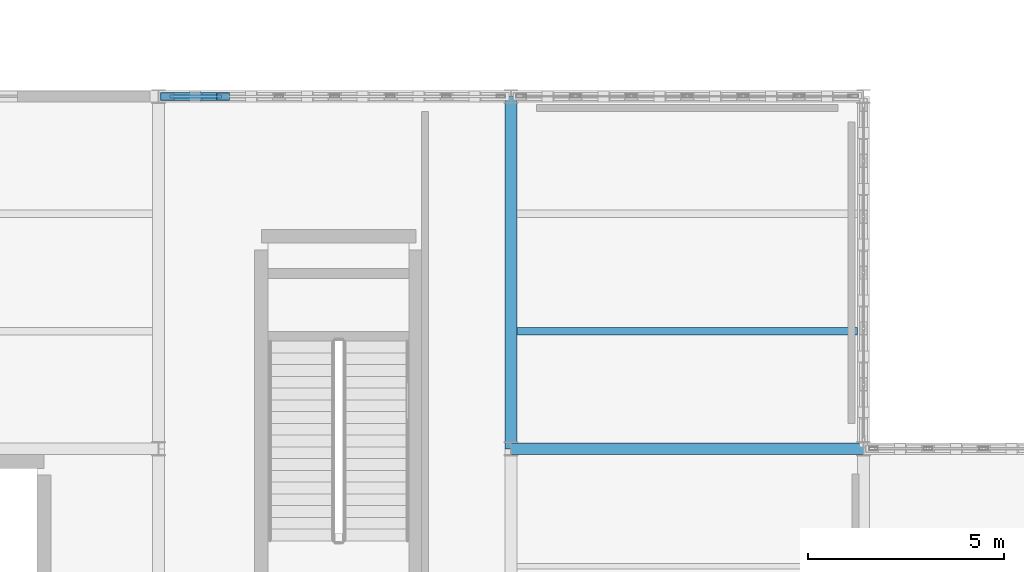
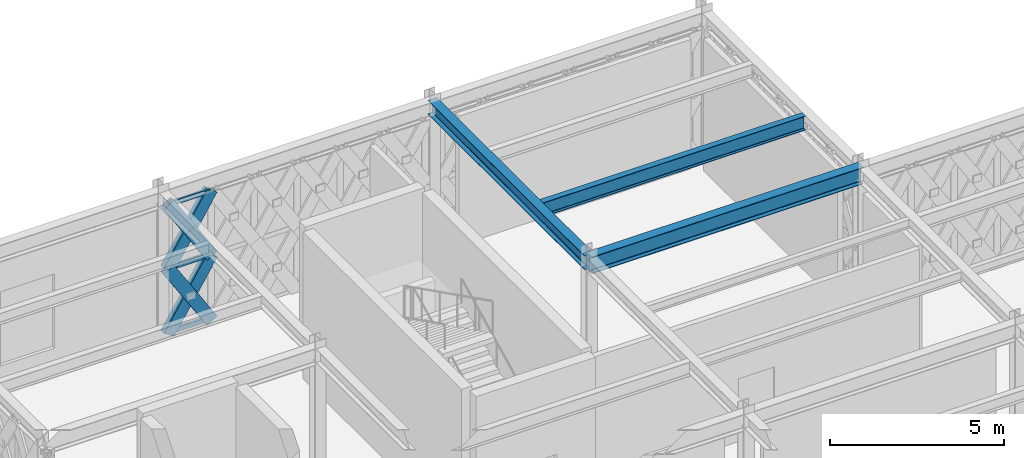
# One storey, part 117 of 166: 9 members, 3 beams, 1 element without a shape of its own.
"""IFC4 building model written with IfcOpenShell, lengths in metres."""

from ifc_helpers import new_model, si_unit, direction, frame, origin, origin_2d, place, context, subcontext, project, spatial, hollow_rectangle, i_section, extrude, material, material_profile, profile_set, type_object, element, aggregate, save


model = new_model("IFC4")

# Units and contexts
model_context = context("Model", 3, precision=1e-05, world=origin(), true_north=direction((0.0, 1.0)))
body_context = subcontext(model_context, "Body", "Model", "MODEL_VIEW")
ifc_project = project(units=[si_unit("LENGTHUNIT", "METRE"), si_unit("AREAUNIT", "SQUARE_METRE"), si_unit("VOLUMEUNIT", "CUBIC_METRE"), si_unit("PLANEANGLEUNIT", "RADIAN"), si_unit("MASSUNIT", "GRAM", prefix="KILO")], contexts=[model_context])

# Site, building, storey
site_placement = place(None, origin())
site = spatial("IfcSite", under=ifc_project, at=site_placement, CompositionType="ELEMENT")
building_placement = place(site_placement, origin())
building = spatial("IfcBuilding", under=site, at=building_placement, Name="Haizhuo Lancet Aquarium", CompositionType="ELEMENT")
storey_placement = place(building_placement, frame((0.0, 0.0, 5.39990234375)))
storey = spatial("IfcBuildingStorey", under=building, at=storey_placement, Name="L01", CompositionType="ELEMENT", Elevation=5.39990234375)

# Beams
ifc_material_1 = material(Name="Steel S355", Category="steel")
ifc_material_profile_1 = material_profile(ifc_material_1, i_section(OverallWidth=0.300048828125, OverallDepth=0.488037109375, WebThickness=0.010986328125, FlangeThickness=0.01806640625, FilletRadius=0.02392578125, at=origin_2d()), Name="HM 488x300x11x18")
ifc_profile_set_1 = profile_set([ifc_material_profile_1], Name="Steel S355")
beam_type_1 = type_object("IfcBeamType", Name="BM-ST-HM488", PredefinedType="BEAM", material=ifc_profile_set_1)
beam_1_placement = place(storey_placement, frame((54.0, 27.0, 4.89599609375), z_axis=(0.0, 1.0, 0.0), x_axis=(-1.0, 0.0, 0.0)))
element("IfcBeam", 1, at=beam_1_placement, inside=storey, type_object=beam_type_1, Name="L01 V7 primary girder BM-L01-V7-018", PredefinedType="BEAM", context=body_context, shape_type="SweptSolid", body=[
    extrude(i_section(OverallWidth=0.300048828125, OverallDepth=0.488037109375, WebThickness=0.010986328125, FlangeThickness=0.01806640625, FilletRadius=0.02392578125, at=origin_2d()), origin(), (0.0, 0.0, 1.0), 9.0),
])
ifc_material_profile_2 = material_profile(ifc_material_1, i_section(OverallWidth=0.300048828125, OverallDepth=0.587890625, WebThickness=0.011962890625, FlangeThickness=0.02001953125, FilletRadius=0.02587890625, at=origin_2d()), Name="HM 588x300x12x20")
ifc_profile_set_2 = profile_set([ifc_material_profile_2], Name="Steel S355")
beam_type_2 = type_object("IfcBeamType", Name="BM-ST-HM588", PredefinedType="BEAM", material=ifc_profile_set_2)
beam_2_placement = place(storey_placement, frame((54.0, 27.0, 4.84619140625), z_axis=(1.0, 0.0, 0.0), x_axis=(0.0, 1.0, 0.0)))
element("IfcBeam", 2, at=beam_2_placement, inside=storey, type_object=beam_type_2, Name="L01 V7 primary girder BM-L01-V7-019", PredefinedType="BEAM", context=body_context, shape_type="SweptSolid", body=[
    extrude(i_section(OverallWidth=0.300048828125, OverallDepth=0.587890625, WebThickness=0.011962890625, FlangeThickness=0.02001953125, FilletRadius=0.02587890625, at=origin_2d()), origin(), (0.0, 0.0, 1.0), 9.0),
])

# Curtain wall, members
ifc_material_2 = material(Name="Aluminium 6063-T6", Category="aluminium")
curtain_wall_type = type_object("IfcCurtainWallType", Name="CWD-8560x4550", PredefinedType="NOTDEFINED", material=ifc_material_2)
curtain_wall_placement = place(storey_placement, origin())
curtain_wall = element("IfcCurtainWall", 3, at=curtain_wall_placement, inside=storey, type_object=curtain_wall_type, Name="L01 curtain wall CW-V7-L01-284", PredefinedType="NOTDEFINED")
ifc_material_profile_3 = material_profile(ifc_material_2, hollow_rectangle(XDim=0.074951171875, YDim=0.159912109375, WallThickness=0.00390625, at=origin_2d()), Name="ALU-T 75x160x4")
ifc_profile_set_3 = profile_set([ifc_material_profile_3], Name="Aluminium 6063-T6")
member_type_1 = type_object("IfcMemberType", Name="CW-TRN-2", PredefinedType="NOTDEFINED", material=ifc_profile_set_3)
member_1_placement = place(storey_placement, frame((45.294921875, 36.0, 0.0380859375), z_axis=(1.0, 0.0, 0.0), x_axis=(0.0, 1.0, 0.0)))
member_1 = element("IfcMember", 4, at=member_1_placement, type_object=member_type_1, Name="CWD-85x45 transom 1.1", ObjectType="TRANSOM", PredefinedType="USERDEFINED", context=body_context, shape_type="SweptSolid", body=[
    extrude(hollow_rectangle(XDim=0.074951171875, YDim=0.159912109375, WallThickness=0.00390625, at=origin_2d()), origin(), (0.0, 0.0, 1.0), 1.31396484375),
])
member_2_placement = place(storey_placement, frame((45.294921875, 36.0, 2.276123046875), z_axis=(1.0, 0.0, 0.0), x_axis=(0.0, 1.0, 0.0)))
member_2 = element("IfcMember", 5, at=member_2_placement, type_object=member_type_1, Name="CWD-85x45 transom 1.2", ObjectType="TRANSOM", PredefinedType="USERDEFINED", context=body_context, shape_type="SweptSolid", body=[
    extrude(hollow_rectangle(XDim=0.074951171875, YDim=0.159912109375, WallThickness=0.00390625, at=origin_2d()), origin(), (0.0, 0.0, 1.0), 1.31396484375),
])
member_3_placement = place(storey_placement, frame((45.294921875, 36.0, 4.51513671875), z_axis=(1.0, 0.0, 0.0), x_axis=(0.0, 1.0, 0.0)))
member_3 = element("IfcMember", 6, at=member_3_placement, type_object=member_type_1, Name="CWD-85x45 transom 1.3", ObjectType="TRANSOM", PredefinedType="USERDEFINED", context=body_context, shape_type="SweptSolid", body=[
    extrude(hollow_rectangle(XDim=0.074951171875, YDim=0.159912109375, WallThickness=0.00390625, at=origin_2d()), origin(), (0.0, 0.0, 1.0), 1.31396484375),
])
aggregate(curtain_wall, [member_1, member_2, member_3])

# Beam
ifc_material_profile_4 = material_profile(ifc_material_1, i_section(OverallWidth=0.199951171875, OverallDepth=0.5, WebThickness=0.010009765625, FlangeThickness=0.01611328125, FilletRadius=0.02001953125, at=origin_2d()), Name="HN 500x200x10x16")
ifc_profile_set_4 = profile_set([ifc_material_profile_4], Name="Steel S355")
beam_type_3 = type_object("IfcBeamType", Name="JST-ST-HN500", PredefinedType="JOIST", material=ifc_profile_set_4)
beam_3_placement = place(storey_placement, frame((54.14990234375, 30.0, 4.89013671875), z_axis=(1.0, 0.0, 0.0), x_axis=(0.0, 1.0, 0.0)))
element("IfcBeam", 7, at=beam_3_placement, inside=storey, type_object=beam_type_3, Name="L01 V7 secondary floor joist 13", PredefinedType="JOIST", context=body_context, shape_type="SweptSolid", body=[
    extrude(i_section(OverallWidth=0.199951171875, OverallDepth=0.5, WebThickness=0.010009765625, FlangeThickness=0.01611328125, FilletRadius=0.02001953125, at=origin_2d()), origin(), (0.0, 0.0, 1.0), 8.7001953125),
])

# Members
ifc_material_profile_5 = material_profile(ifc_material_1, hollow_rectangle(XDim=0.199951171875, YDim=0.39990234375, WallThickness=0.011962890625, at=origin_2d()), Name="RHS 200x400x12")
ifc_profile_set_5 = profile_set([ifc_material_profile_5], Name="Steel S355")
member_type_2 = type_object("IfcMemberType", Name="MEM-LB-RHS200x400", PredefinedType="BRACE", material=ifc_profile_set_5)
member_4_placement = place(storey_placement, frame((45.219970703125, 36.0, 0.0), z_axis=(0.531182902496, 0.0, 0.84725717707), x_axis=(0.0, 1.0, 0.0)))
element("IfcMember", 8, at=member_4_placement, inside=storey, type_object=member_type_2, Name="Gothic lancet continuous diagonal brace CW-V7-L01-284 1A", PredefinedType="BRACE", context=body_context, shape_type="SweptSolid", body=[
    extrude(hollow_rectangle(XDim=0.199951171875, YDim=0.39990234375, WallThickness=0.011962890625, at=origin_2d()), origin(), (0.0, 0.0, 1.0), 2.6865234375),
])
member_5_placement = place(storey_placement, frame((46.64697265625, 36.0, 0.0), z_axis=(-0.531337668957, 0.0, 0.847160127454), x_axis=(0.0, -1.0, 0.0)))
element("IfcMember", 9, at=member_5_placement, inside=storey, type_object=member_type_2, Name="Gothic lancet split diagonal brace CW-V7-L01-284 1B1", PredefinedType="BRACE", context=body_context, shape_type="SweptSolid", body=[
    extrude(hollow_rectangle(XDim=0.199951171875, YDim=0.39990234375, WallThickness=0.011962890625, at=origin_2d()), origin(), (0.0, 0.0, 1.0), 1.343505859375),
])
member_6_placement = place(storey_placement, frame((45.93310546875, 36.0, 1.13818359375), z_axis=(-0.531028049623, 0.0, 0.847354241456), x_axis=(0.0, -1.0, 0.0)))
element("IfcMember", 10, at=member_6_placement, inside=storey, type_object=member_type_2, Name="Gothic lancet split diagonal brace CW-V7-L01-284 1B2", PredefinedType="BRACE", context=body_context, shape_type="SweptSolid", body=[
    extrude(hollow_rectangle(XDim=0.199951171875, YDim=0.39990234375, WallThickness=0.011962890625, at=origin_2d()), origin(), (0.0, 0.0, 1.0), 1.343017578125),
])
member_7_placement = place(storey_placement, frame((45.219970703125, 36.0, 2.276123046875), z_axis=(0.531223804613, 0.0, 0.847231532353), x_axis=(0.0, 1.0, 0.0)))
element("IfcMember", 11, at=member_7_placement, inside=storey, type_object=member_type_2, Name="Gothic lancet continuous diagonal brace CW-V7-L01-284 2A", PredefinedType="BRACE", context=body_context, shape_type="SweptSolid", body=[
    extrude(hollow_rectangle(XDim=0.199951171875, YDim=0.39990234375, WallThickness=0.011962890625, at=origin_2d()), origin(), (0.0, 0.0, 1.0), 2.686279296875),
])
member_8_placement = place(storey_placement, frame((46.64697265625, 36.0, 2.276123046875), z_axis=(-0.531419474561, 0.0, 0.847108813587), x_axis=(0.0, -1.0, 0.0)))
element("IfcMember", 12, at=member_8_placement, inside=storey, type_object=member_type_2, Name="Gothic lancet split diagonal brace CW-V7-L01-284 2B1", PredefinedType="BRACE", context=body_context, shape_type="SweptSolid", body=[
    extrude(hollow_rectangle(XDim=0.199951171875, YDim=0.39990234375, WallThickness=0.011962890625, at=origin_2d()), origin(), (0.0, 0.0, 1.0), 1.34326171875),
])
member_9_placement = place(storey_placement, frame((45.93310546875, 36.0, 3.4140625), z_axis=(-0.531028049623, 0.0, 0.847354241456), x_axis=(0.0, -1.0, 0.0)))
element("IfcMember", 13, at=member_9_placement, inside=storey, type_object=member_type_2, Name="Gothic lancet split diagonal brace CW-V7-L01-284 2B2", PredefinedType="BRACE", context=body_context, shape_type="SweptSolid", body=[
    extrude(hollow_rectangle(XDim=0.199951171875, YDim=0.39990234375, WallThickness=0.011962890625, at=origin_2d()), origin(), (0.0, 0.0, 1.0), 1.343017578125),
])

save(model, "model.ifc")
